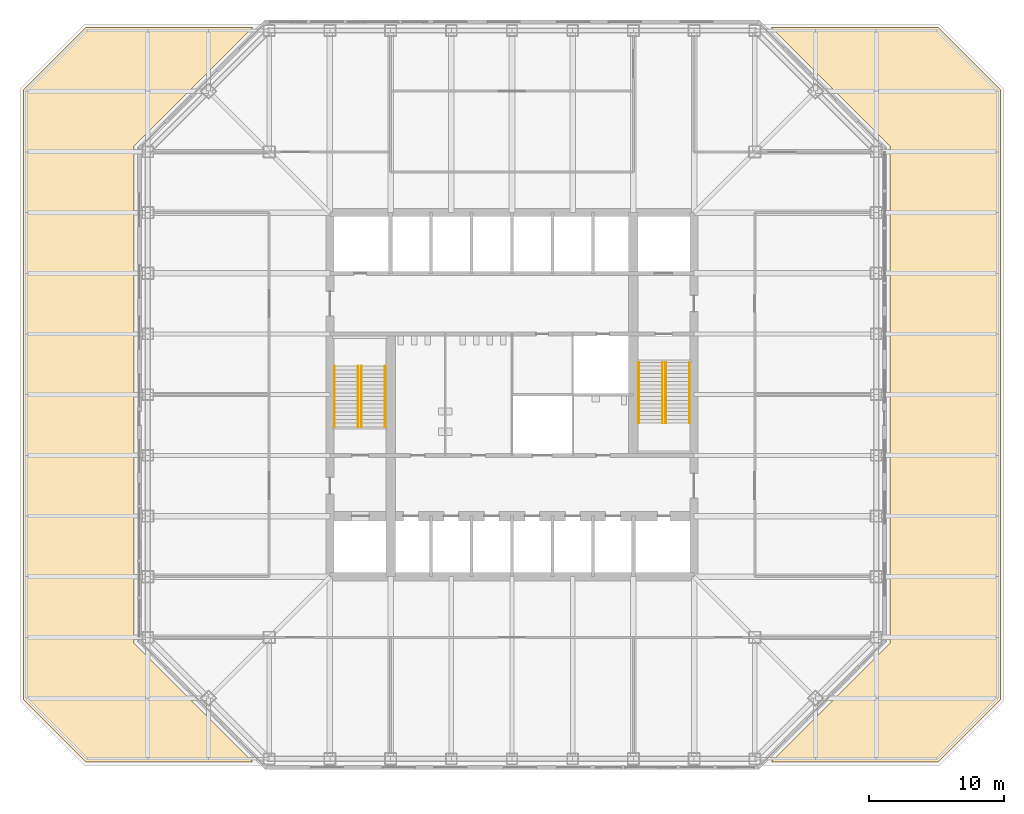
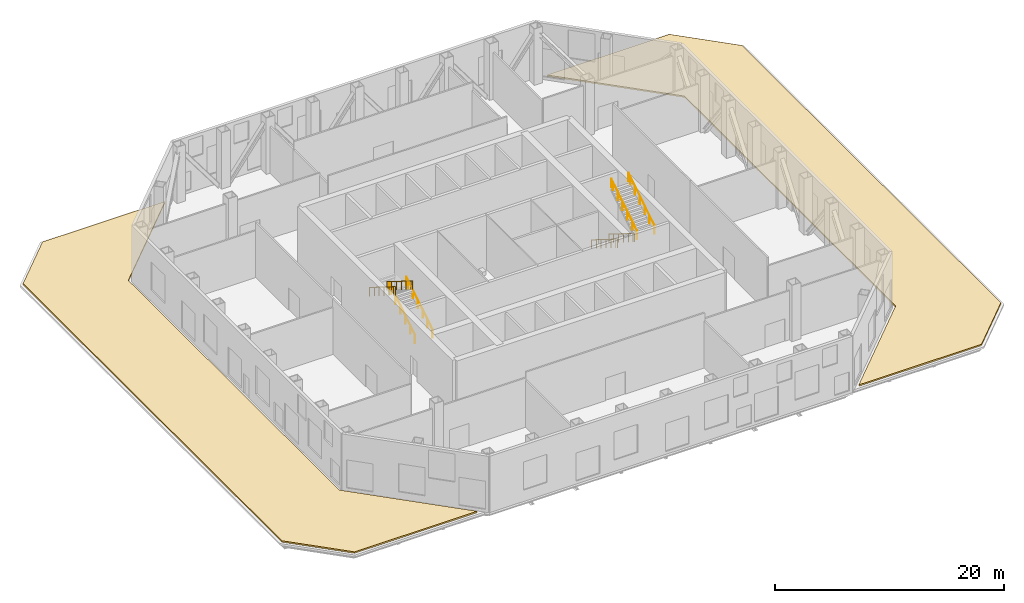
# One storey, part 9 of 10: 8 railings, 2 coverings.
"""IFC4 building model written with IfcOpenShell, lengths in metres."""

from ifc_helpers import new_model, si_unit, direction, frame, origin, origin_2d, place, context, subcontext, project, spatial, polyline, circle, outline, extrude, material, layer, layer_set, type_object, element, save


model = new_model("IFC4")

# Units and contexts
model_context = context("Model", 3, precision=1e-05, world=origin(), true_north=direction((0.0, 1.0)))
body_context = subcontext(model_context, "Body", "Model", "MODEL_VIEW")
ifc_project = project(units=[si_unit("LENGTHUNIT", "METRE"), si_unit("AREAUNIT", "SQUARE_METRE"), si_unit("VOLUMEUNIT", "CUBIC_METRE"), si_unit("PLANEANGLEUNIT", "RADIAN"), si_unit("MASSUNIT", "GRAM", prefix="KILO")], contexts=[model_context])

# Site, building, storey
site_placement = place(None, origin())
site = spatial("IfcSite", under=ifc_project, at=site_placement, CompositionType="ELEMENT")
building_placement = place(site_placement, origin())
building = spatial("IfcBuilding", under=site, at=building_placement, Name="Corais Broadcast Tower", CompositionType="ELEMENT")
storey_placement = place(building_placement, frame((0.0, 0.0, 23.0)))
storey = spatial("IfcBuildingStorey", under=building, at=storey_placement, Name="L04", CompositionType="ELEMENT", Elevation=23.0)

# Coverings
ifc_material_1 = material(Name="Waterproofing, root barrier, drainage layer and 100 mm growing medium with sedum planting", Category="soil")
ifc_layer = layer(ifc_material_1, 0.14990234375)
ifc_layer_set = layer_set([ifc_layer], Name="Waterproofing, root barrier, drainage layer and 100 mm growing medium with sedum planting")
covering_type = type_object("IfcCoveringType", Name="Extensive green roof 150", PredefinedType="ROOFING", material=ifc_layer_set)
covering_1_placement = place(storey_placement, origin())
element("IfcCovering", 1, at=covering_1_placement, inside=storey, type_object=covering_type, Name="RM2 green roof over L03 1, maintenance access only", PredefinedType="ROOFING", context=body_context, shape_type="SweptSolid", body=[
    extrude(outline(polyline([(-9.22998046875, 4.40478515625), (-9.22998046875, 49.59521484375), (-4.59521484375, 54.22998046875), (7.773193359375, 54.22998046875), (-1.030029296875, 45.4267578125), (-1.030029296875, 8.5732421875), (7.773193359375, -0.22998046875), (-4.59521484375, -0.22998046875), (-9.22998046875, 4.40478515625)])), origin(), (0.0, 0.0, 1.0), 0.14990234375),
])
covering_2_placement = place(storey_placement, origin())
element("IfcCovering", 2, at=covering_2_placement, inside=storey, type_object=covering_type, Name="RM2 green roof over L03 2, maintenance access only", PredefinedType="ROOFING", context=body_context, shape_type="SweptSolid", body=[
    extrude(outline(polyline([(58.59521484375, 54.22998046875), (63.22998046875, 49.59521484375), (63.22998046875, 4.40478515625), (58.59521484375, -0.22998046875), (46.226806640625, -0.22998046875), (55.030029296875, 8.5732421875), (55.030029296875, 45.4267578125), (46.226806640625, 54.22998046875), (58.59521484375, 54.22998046875)])), origin(), (0.0, 0.0, 1.0), 0.14990234375),
])

# Railings
ifc_material_2 = material(Name="Stainless steel handrail", Category="steel")
railing_type = type_object("IfcRailingType", Name="Handrail 920", PredefinedType="HANDRAIL", material=ifc_material_2)
for number, where, name in (
    (3, (17.60009765625, 24.60009765625, 0.176513671875), "HR1 L04"),
    (4, (15.85009765625, 24.60009765625, 0.176513671875), "HR1 L04"),
):
    element("IfcRailing", number, at=place(storey_placement, frame(where)), inside=storey, type_object=railing_type, Name=name, PredefinedType="HANDRAIL", context=body_context, shape_type="SweptSolid", body=[
        extrude(circle(Radius=0.02392578125, at=origin_2d()), frame((0.0, 0.0, 0.89599609375), z_axis=(0.0, 0.847701827889, 0.530473006847), x_axis=(-1.0, 0.0, 0.0)), (0.0, 0.0, 1.0), 5.322509765625),
        extrude(circle(Radius=0.02099609375, at=origin_2d()), origin(), (0.0, 0.0, 1.0), 0.871826171875),
        extrude(circle(Radius=0.02099609375, at=origin_2d()), frame((0.0, 0.845947265625, 0.529296875)), (0.0, 0.0, 1.0), 0.871826171875),
        extrude(circle(Radius=0.02099609375, at=origin_2d()), frame((0.0, 1.69189453125, 1.058837890625)), (0.0, 0.0, 1.0), 0.871826171875),
        extrude(circle(Radius=0.02099609375, at=origin_2d()), frame((0.0, 2.5380859375, 1.588134765625)), (0.0, 0.0, 1.0), 0.871826171875),
        extrude(circle(Radius=0.02099609375, at=origin_2d()), frame((0.0, 3.384033203125, 2.11767578125)), (0.0, 0.0, 1.0), 0.871826171875),
        extrude(circle(Radius=0.02099609375, at=origin_2d()), frame((0.0, 4.22998046875, 2.64697265625)), (0.0, 0.0, 1.0), 0.871826171875),
        extrude(circle(Radius=0.02099609375, at=origin_2d()), frame((0.0, 4.511962890625, 2.823486328125)), (0.0, 0.0, 1.0), 0.871826171875),
    ])
for number, where, name in (
    (5, (13.85009765625, 29.112060546875, 3.176513671875), "HR1 L04"),
    (6, (15.60009765625, 29.112060546875, 3.176513671875), "HR1 L04"),
    (7, (36.39990234375, 29.39990234375, 0.176513671875), "HR1 L04"),
    (8, (38.14990234375, 29.39990234375, 0.176513671875), "HR1 L04"),
):
    element("IfcRailing", number, at=place(storey_placement, frame(where)), inside=storey, type_object=railing_type, Name=name, PredefinedType="HANDRAIL", context=body_context, shape_type="SweptSolid", body=[
        extrude(circle(Radius=0.02392578125, at=origin_2d()), frame((0.0, 0.0, 0.89599609375), z_axis=(0.0, -0.847701827889, 0.530473006847), x_axis=(1.0, 0.0, 0.0)), (0.0, 0.0, 1.0), 5.322509765625),
        extrude(circle(Radius=0.02099609375, at=origin_2d()), origin(), (0.0, 0.0, 1.0), 0.871826171875),
        extrude(circle(Radius=0.02099609375, at=origin_2d()), frame((0.0, -0.845947265625, 0.529296875)), (0.0, 0.0, 1.0), 0.871826171875),
        extrude(circle(Radius=0.02099609375, at=origin_2d()), frame((0.0, -1.69189453125, 1.058837890625)), (0.0, 0.0, 1.0), 0.871826171875),
        extrude(circle(Radius=0.02099609375, at=origin_2d()), frame((0.0, -2.5380859375, 1.588134765625)), (0.0, 0.0, 1.0), 0.871826171875),
        extrude(circle(Radius=0.02099609375, at=origin_2d()), frame((0.0, -3.384033203125, 2.11767578125)), (0.0, 0.0, 1.0), 0.871826171875),
        extrude(circle(Radius=0.02099609375, at=origin_2d()), frame((0.0, -4.22998046875, 2.64697265625)), (0.0, 0.0, 1.0), 0.871826171875),
        extrude(circle(Radius=0.02099609375, at=origin_2d()), frame((0.0, -4.511962890625, 2.823486328125)), (0.0, 0.0, 1.0), 0.871826171875),
    ])
for number, where, name in (
    (9, (40.14990234375, 24.887939453125, 3.176513671875), "HR1 L04"),
    (10, (38.39990234375, 24.887939453125, 3.176513671875), "HR1 L04"),
):
    element("IfcRailing", number, at=place(storey_placement, frame(where)), inside=storey, type_object=railing_type, Name=name, PredefinedType="HANDRAIL", context=body_context, shape_type="SweptSolid", body=[
        extrude(circle(Radius=0.02392578125, at=origin_2d()), frame((0.0, 0.0, 0.89599609375), z_axis=(0.0, 0.847701827889, 0.530473006847), x_axis=(-1.0, 0.0, 0.0)), (0.0, 0.0, 1.0), 5.322509765625),
        extrude(circle(Radius=0.02099609375, at=origin_2d()), origin(), (0.0, 0.0, 1.0), 0.871826171875),
        extrude(circle(Radius=0.02099609375, at=origin_2d()), frame((0.0, 0.845947265625, 0.529296875)), (0.0, 0.0, 1.0), 0.871826171875),
        extrude(circle(Radius=0.02099609375, at=origin_2d()), frame((0.0, 1.69189453125, 1.058837890625)), (0.0, 0.0, 1.0), 0.871826171875),
        extrude(circle(Radius=0.02099609375, at=origin_2d()), frame((0.0, 2.5380859375, 1.588134765625)), (0.0, 0.0, 1.0), 0.871826171875),
        extrude(circle(Radius=0.02099609375, at=origin_2d()), frame((0.0, 3.384033203125, 2.11767578125)), (0.0, 0.0, 1.0), 0.871826171875),
        extrude(circle(Radius=0.02099609375, at=origin_2d()), frame((0.0, 4.22998046875, 2.64697265625)), (0.0, 0.0, 1.0), 0.871826171875),
        extrude(circle(Radius=0.02099609375, at=origin_2d()), frame((0.0, 4.511962890625, 2.823486328125)), (0.0, 0.0, 1.0), 0.871826171875),
    ])

save(model, "model.ifc")
